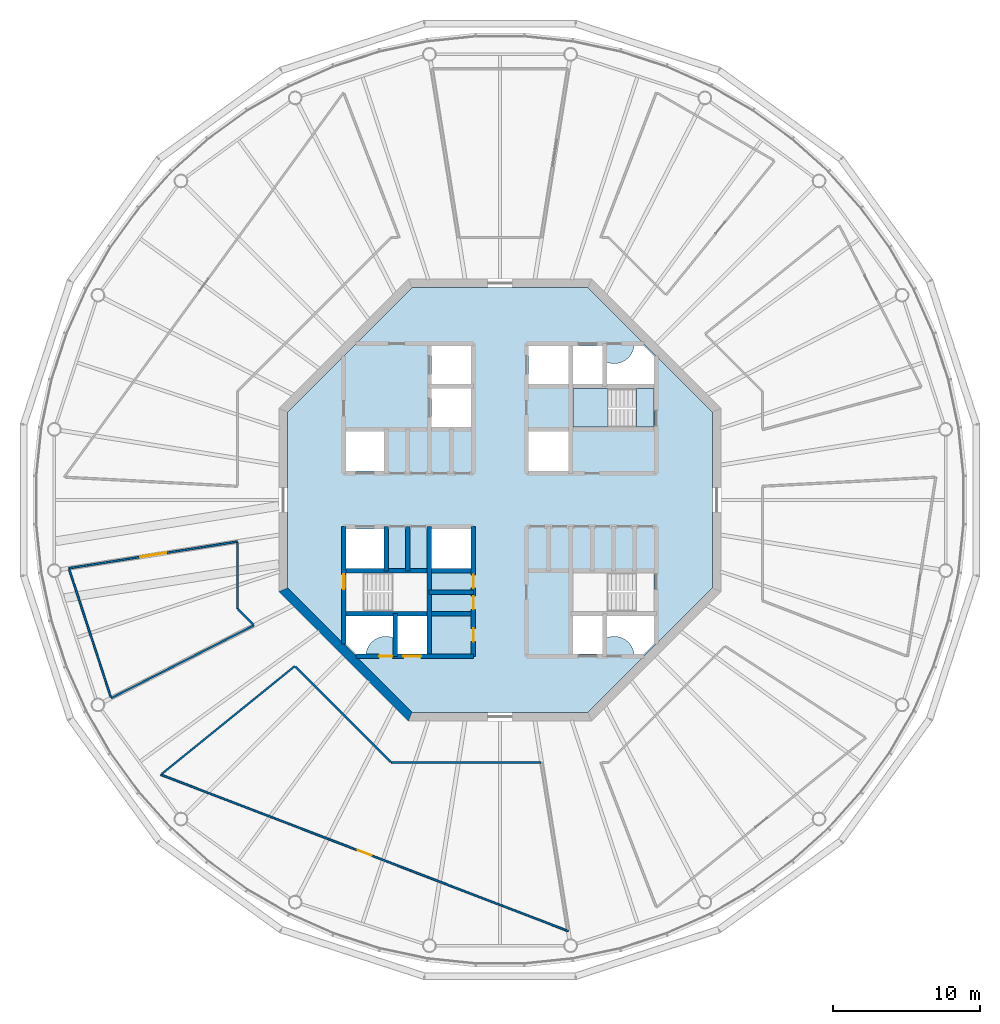
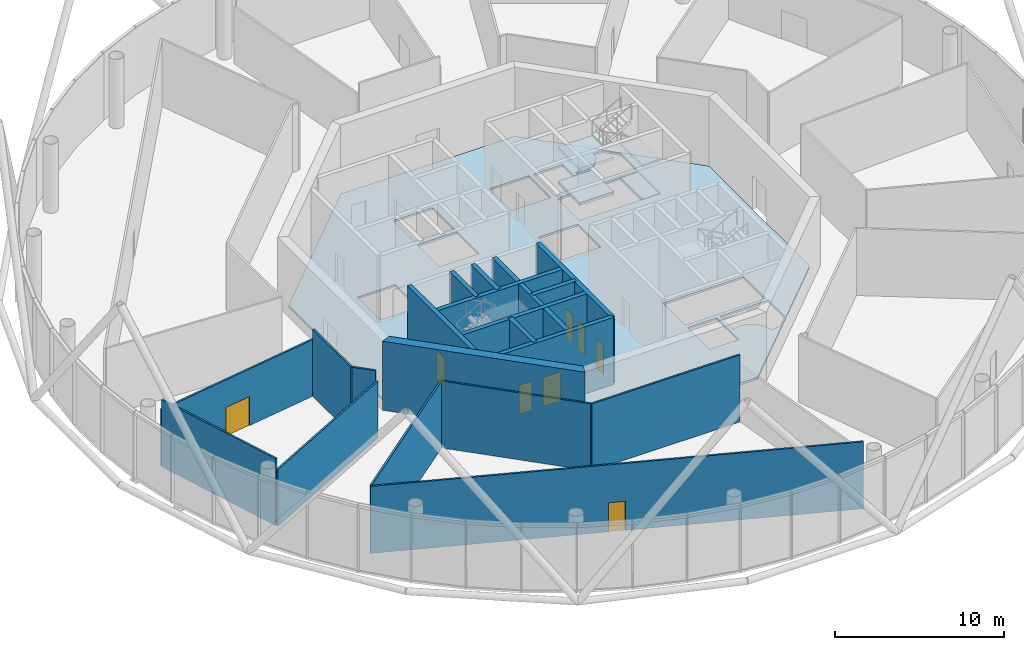
# One storey, part 3 of 13: 20 walls, 8 doors, 5 slabs, 8 openings, 1 element without a shape of its own.
"""IFC4 building model written with IfcOpenShell, lengths in metres."""

from ifc_helpers import new_model, si_unit, direction, frame, frame_2d, origin, place, context, subcontext, project, spatial, polyline, rectangle, outline, extrude, material, layer, layer_set, type_object, element, fill, aggregate, save


model = new_model("IFC4")

# Units and contexts
model_context = context("Model", 3, precision=1e-05, world=origin(), true_north=direction((0.0, 1.0)))
body_context = subcontext(model_context, "Body", "Model", "MODEL_VIEW")
ifc_project = project(units=[si_unit("LENGTHUNIT", "METRE"), si_unit("AREAUNIT", "SQUARE_METRE"), si_unit("VOLUMEUNIT", "CUBIC_METRE"), si_unit("PLANEANGLEUNIT", "RADIAN"), si_unit("MASSUNIT", "GRAM", prefix="KILO")], contexts=[model_context])

# Site, building, storey
site_placement = place(None, origin())
site = spatial("IfcSite", under=ifc_project, at=site_placement, CompositionType="ELEMENT")
building_placement = place(site_placement, origin())
building = spatial("IfcBuilding", under=site, at=building_placement, Name="Entoto Ring Tower", CompositionType="ELEMENT")
storey_placement = place(building_placement, frame((0.0, 0.0, 402.0)))
storey = spatial("IfcBuildingStorey", under=building, at=storey_placement, Name="L92", CompositionType="ELEMENT", Elevation=402.0)

# Slab
ifc_material_1 = material(Name="Concrete C40/50", Category="concrete")
ifc_layer_1 = layer(ifc_material_1, 0.14990234375)
ifc_layer_set_1 = layer_set([ifc_layer_1], Name="Concrete C40/50")
slab_type_1 = type_object("IfcSlabType", Name="Core floor slab 150 mm reinforced concrete C40/50", PredefinedType="FLOOR", material=ifc_layer_set_1)
slab_1_placement = place(storey_placement, frame((0.0, 0.0, -0.14990234375)))
element("IfcSlab", 1, at=slab_1_placement, inside=storey, type_object=slab_type_1, Name="Core floor L92", PredefinedType="FLOOR", context=body_context, shape_type="SweptSolid", body=[
    extrude(outline(polyline([(104.39990234375, 74.035400390625), (104.39990234375, 85.964599609375), (95.964599609375, 94.39990234375), (84.035400390625, 94.39990234375), (75.60009765625, 85.964599609375), (75.60009765625, 74.035400390625), (84.035400390625, 65.60009765625), (95.964599609375, 65.60009765625), (104.39990234375, 74.035400390625)]), holes=[polyline([(100.449951171875, 84.949951171875), (100.449951171875, 87.550048828125), (94.949951171875, 87.550048828125), (94.949951171875, 84.949951171875), (100.449951171875, 84.949951171875)]), polyline([(85.050048828125, 72.449951171875), (85.050048828125, 75.050048828125), (79.550048828125, 75.050048828125), (79.550048828125, 72.449951171875), (85.050048828125, 72.449951171875)]), polyline([(100.449951171875, 72.449951171875), (100.449951171875, 75.050048828125), (94.949951171875, 75.050048828125), (94.949951171875, 72.449951171875), (100.449951171875, 72.449951171875)]), polyline([(94.949951171875, 90.449951171875), (94.949951171875, 87.85009765625), (96.949951171875, 87.85009765625), (96.949951171875, 90.449951171875), (94.949951171875, 90.449951171875)]), polyline([(94.949951171875, 72.14990234375), (94.949951171875, 69.550048828125), (96.949951171875, 69.550048828125), (96.949951171875, 72.14990234375), (94.949951171875, 72.14990234375)]), polyline([(83.050048828125, 72.14990234375), (83.050048828125, 69.550048828125), (85.050048828125, 69.550048828125), (85.050048828125, 72.14990234375), (83.050048828125, 72.14990234375)]), polyline([(79.550048828125, 81.949951171875), (82.14990234375, 81.949951171875), (82.14990234375, 84.64990234375), (79.550048828125, 84.64990234375), (79.550048828125, 81.949951171875)]), polyline([(79.550048828125, 75.35009765625), (82.14990234375, 75.35009765625), (82.14990234375, 78.050048828125), (79.550048828125, 78.050048828125), (79.550048828125, 75.35009765625)]), polyline([(91.949951171875, 87.85009765625), (94.64990234375, 87.85009765625), (94.64990234375, 90.449951171875), (91.949951171875, 90.449951171875), (91.949951171875, 87.85009765625)]), polyline([(91.949951171875, 81.949951171875), (94.64990234375, 81.949951171875), (94.64990234375, 84.64990234375), (91.949951171875, 84.64990234375), (91.949951171875, 81.949951171875)]), polyline([(85.35009765625, 75.35009765625), (88.050048828125, 75.35009765625), (88.050048828125, 78.050048828125), (85.35009765625, 78.050048828125), (85.35009765625, 75.35009765625)]), polyline([(85.35009765625, 84.949951171875), (88.050048828125, 84.949951171875), (88.050048828125, 87.550048828125), (85.35009765625, 87.550048828125), (85.35009765625, 84.949951171875)]), polyline([(85.35009765625, 87.85009765625), (88.050048828125, 87.85009765625), (88.050048828125, 90.449951171875), (85.35009765625, 90.449951171875), (85.35009765625, 87.85009765625)]), polyline([(97.199951171875, 89.368408203125), (97.199951171875, 87.800048828125), (100.5, 87.800048828125), (100.5, 89.723388671875), (99.723388671875, 90.5), (99.09521484375, 90.5), (99.093505859375, 90.4677734375), (99.07421875, 90.336669921875), (99.0419921875, 90.2080078125), (98.997314453125, 90.08349609375), (98.940673828125, 89.963623046875), (98.87255859375, 89.85009765625), (98.793701171875, 89.74365234375), (98.70458984375, 89.6455078125), (98.6064453125, 89.556396484375), (98.5, 89.4775390625), (98.386474609375, 89.409423828125), (98.2666015625, 89.352783203125), (98.141845703125, 89.30810546875), (98.013427734375, 89.27587890625), (97.88232421875, 89.256591796875), (97.75, 89.25), (97.61767578125, 89.256591796875), (97.486572265625, 89.27587890625), (97.358154296875, 89.30810546875), (97.2333984375, 89.352783203125), (97.199951171875, 89.368408203125)]), polyline([(80.276611328125, 69.5), (80.90478515625, 69.5), (80.906494140625, 69.5322265625), (80.92578125, 69.663330078125), (80.9580078125, 69.7919921875), (81.002685546875, 69.91650390625), (81.059326171875, 70.036376953125), (81.12744140625, 70.14990234375), (81.206298828125, 70.25634765625), (81.29541015625, 70.3544921875), (81.3935546875, 70.443603515625), (81.5, 70.5224609375), (81.613525390625, 70.590576171875), (81.7333984375, 70.647216796875), (81.858154296875, 70.69189453125), (81.986572265625, 70.72412109375), (82.11767578125, 70.743408203125), (82.25, 70.75), (82.38232421875, 70.743408203125), (82.513427734375, 70.72412109375), (82.641845703125, 70.69189453125), (82.7666015625, 70.647216796875), (82.800048828125, 70.631591796875), (82.800048828125, 72.199951171875), (79.5, 72.199951171875), (79.5, 70.276611328125), (80.276611328125, 69.5)]), polyline([(99.09521484375, 69.5), (99.723388671875, 69.5), (100.5, 70.276611328125), (100.5, 72.199951171875), (97.199951171875, 72.199951171875), (97.199951171875, 70.631591796875), (97.2333984375, 70.647216796875), (97.358154296875, 70.69189453125), (97.486572265625, 70.72412109375), (97.61767578125, 70.743408203125), (97.75, 70.75), (97.88232421875, 70.743408203125), (98.013427734375, 70.72412109375), (98.141845703125, 70.69189453125), (98.2666015625, 70.647216796875), (98.386474609375, 70.590576171875), (98.5, 70.5224609375), (98.6064453125, 70.443603515625), (98.70458984375, 70.3544921875), (98.793701171875, 70.25634765625), (98.87255859375, 70.14990234375), (98.940673828125, 70.036376953125), (98.997314453125, 69.91650390625), (99.0419921875, 69.7919921875), (99.07421875, 69.663330078125), (99.093505859375, 69.5322265625), (99.09521484375, 69.5)])]), origin(), (0.0, 0.0, 1.0), 0.14990234375),
])

# Stair, slabs
ifc_material_2 = material(Name="Concrete C40/50", Category="concrete")
stair_type = type_object("IfcStairType", Name="Exit stair 1200 mm dog-leg reinforced concrete", PredefinedType="HALF_TURN_STAIR", material=ifc_material_2)
stair_placement = place(storey_placement, origin())
stair = element("IfcStair", 2, at=stair_placement, inside=storey, type_object=stair_type, Name="Exit stair 1", PredefinedType="HALF_TURN_STAIR")
ifc_material_3 = material(Name="Concrete C40/50", Category="concrete")
ifc_layer_2 = layer(ifc_material_3, 0.199951171875)
ifc_layer_set_2 = layer_set([ifc_layer_2], Name="Concrete C40/50")
slab_type_2 = type_object("IfcSlabType", Name="Stair landing 200 mm reinforced concrete", PredefinedType="LANDING", material=ifc_layer_set_2)
slab_2_placement = place(storey_placement, frame((0.0, 0.0, -0.199951171875)))
slab_2 = element("IfcSlab", 3, at=slab_2_placement, type_object=slab_type_2, Name="ST1 landing 1", PredefinedType="LANDING", context=body_context, shape_type="SweptSolid", body=[
    extrude(outline(polyline([(100.449951171875, 84.949951171875), (100.449951171875, 87.550048828125), (99.25, 87.550048828125), (99.25, 84.949951171875), (100.449951171875, 84.949951171875)])), origin(), (0.0, 0.0, 1.0), 0.199951171875),
])
slab_3_placement = place(storey_placement, frame((0.0, 0.0, 1.050048828125)))
slab_3 = element("IfcSlab", 4, at=slab_3_placement, type_object=slab_type_2, Name="ST1 landing 2", PredefinedType="LANDING", context=body_context, shape_type="SweptSolid", body=[
    extrude(outline(polyline([(94.949951171875, 84.949951171875), (97.2900390625, 84.949951171875), (97.2900390625, 87.550048828125), (94.949951171875, 87.550048828125), (94.949951171875, 84.949951171875)])), origin(), (0.0, 0.0, 1.0), 0.199951171875),
])
slab_4_placement = place(storey_placement, frame((0.0, 0.0, 2.300048828125)))
slab_4 = element("IfcSlab", 5, at=slab_4_placement, type_object=slab_type_2, Name="ST1 landing 3", PredefinedType="LANDING", context=body_context, shape_type="SweptSolid", body=[
    extrude(outline(polyline([(99.25, 84.949951171875), (100.449951171875, 84.949951171875), (100.449951171875, 87.550048828125), (99.25, 87.550048828125), (99.25, 84.949951171875)])), origin(), (0.0, 0.0, 1.0), 0.199951171875),
])
slab_5_placement = place(storey_placement, frame((0.0, 0.0, 3.550048828125)))
slab_5 = element("IfcSlab", 6, at=slab_5_placement, type_object=slab_type_2, Name="ST1 landing 4", PredefinedType="LANDING", context=body_context, shape_type="SweptSolid", body=[
    extrude(outline(polyline([(94.949951171875, 84.949951171875), (97.2900390625, 84.949951171875), (97.2900390625, 87.550048828125), (94.949951171875, 87.550048828125), (94.949951171875, 84.949951171875)])), origin(), (0.0, 0.0, 1.0), 0.199951171875),
])
aggregate(stair, [slab_2, slab_3, slab_4, slab_5])

# Wall, openings, doors
ifc_material_4 = material(Name="Concrete C40/50", Category="concrete")
ifc_layer_3 = layer(ifc_material_4, 0.300048828125)
ifc_layer_set_3 = layer_set([ifc_layer_3], Name="Concrete C40/50")
wall_type_1 = type_object("IfcWallType", Name="Core enclosure wall 300 mm reinforced concrete", PredefinedType="SOLIDWALL", material=ifc_layer_set_3)
wall_1_placement = place(storey_placement, frame((88.199951171875, 69.39990234375, 0.0), z_axis=(0.0, 0.0, 1.0), x_axis=(0.0, 1.0, 0.0)))
wall_1 = element("IfcWall", 7, at=wall_1_placement, inside=storey, type_object=wall_type_1, Name="wall-L92-013", PredefinedType="SOLIDWALL", context=body_context, shape_type="SweptSolid", body=[
    extrude(rectangle(XDim=8.800048828125, YDim=0.300048828125, at=frame_2d((4.39990234375, 0.0))), origin(), (0.0, 0.0, 1.0), 4.85009765625),
])
opening_1_placement = place(wall_1_placement, frame((3.175048828125, 0.0, 0.0)))
opening_1 = element("IfcOpeningElement", 8, at=opening_1_placement, cuts=wall_1, Name="Opening K-69", PredefinedType="OPENING", context=body_context, shape_type="SweptSolid", body=[
    extrude(rectangle(XDim=0.89990234375, YDim=2.10009765625, at=frame_2d((0.449951171875, 1.050048828125))), frame((0.0, 0.16015625, 0.0), z_axis=(0.0, -1.0, 0.0), x_axis=(1.0, 0.0, 0.0)), (0.0, 0.0, 1.0), 0.320068359375),
])
opening_2_placement = place(wall_1_placement, frame((4.625, 0.0, 0.0)))
opening_2 = element("IfcOpeningElement", 9, at=opening_2_placement, cuts=wall_1, Name="Opening K-71", PredefinedType="OPENING", context=body_context, shape_type="SweptSolid", body=[
    extrude(rectangle(XDim=0.89990234375, YDim=2.10009765625, at=frame_2d((0.449951171875, 1.050048828125))), frame((0.0, 0.16015625, 0.0), z_axis=(0.0, -1.0, 0.0), x_axis=(1.0, 0.0, 0.0)), (0.0, 0.0, 1.0), 0.320068359375),
])
opening_3_placement = place(wall_1_placement, frame((1.0, 0.0, 0.0)))
opening_3 = element("IfcOpeningElement", 10, at=opening_3_placement, cuts=wall_1, Name="Opening K-24", PredefinedType="OPENING", context=body_context, shape_type="SweptSolid", body=[
    extrude(rectangle(XDim=0.89990234375, YDim=2.10009765625, at=frame_2d((0.449951171875, 1.050048828125))), frame((0.0, 0.16015625, 0.0), z_axis=(0.0, -1.0, 0.0), x_axis=(1.0, 0.0, 0.0)), (0.0, 0.0, 1.0), 0.320068359375),
])
ifc_material_5 = material(Name="Steel door leaf, fire rated", Category="steel")
ifc_layer_4 = layer(ifc_material_5, 0.050048828125)
ifc_layer_set_4 = layer_set([ifc_layer_4], Name="Steel door leaf, fire rated")
door_type_1 = type_object("IfcDoorType", Name="Core door 900 x 2100 single leaf", OperationType="NOTDEFINED", PredefinedType="DOOR", material=ifc_layer_set_4)
door_1_placement = place(opening_1_placement, origin())
door_1 = element("IfcDoor", 11, at=door_1_placement, inside=storey, type_object=door_type_1, Name="Door K-69", OperationType="SINGLE_SWING_RIGHT", OverallHeight=2.10009765625, OverallWidth=0.89990234375, PredefinedType="DOOR", context=body_context, shape_type="SweptSolid", body=[
    extrude(rectangle(XDim=0.89990234375, YDim=2.10009765625, at=frame_2d((0.449951171875, 1.050048828125))), frame((0.0, 0.02490234375, 0.0), z_axis=(0.0, -1.0, 0.0), x_axis=(1.0, 0.0, 0.0)), (0.0, 0.0, 1.0), 0.050048828125),
])
fill(opening_1, door_1)
door_2_placement = place(opening_2_placement, origin())
door_2 = element("IfcDoor", 12, at=door_2_placement, inside=storey, type_object=door_type_1, Name="Door K-71", OperationType="SINGLE_SWING_RIGHT", OverallHeight=2.10009765625, OverallWidth=0.89990234375, PredefinedType="DOOR", context=body_context, shape_type="SweptSolid", body=[
    extrude(rectangle(XDim=0.89990234375, YDim=2.10009765625, at=frame_2d((0.449951171875, 1.050048828125))), frame((0.0, 0.02490234375, 0.0), z_axis=(0.0, -1.0, 0.0), x_axis=(1.0, 0.0, 0.0)), (0.0, 0.0, 1.0), 0.050048828125),
])
fill(opening_2, door_2)
door_3_placement = place(opening_3_placement, origin())
door_3 = element("IfcDoor", 13, at=door_3_placement, inside=storey, type_object=door_type_1, Name="Door K-24", OperationType="SINGLE_SWING_RIGHT", OverallHeight=2.10009765625, OverallWidth=0.89990234375, PredefinedType="DOOR", context=body_context, shape_type="SweptSolid", body=[
    extrude(rectangle(XDim=0.89990234375, YDim=2.10009765625, at=frame_2d((0.449951171875, 1.050048828125))), frame((0.0, 0.02490234375, 0.0), z_axis=(0.0, -1.0, 0.0), x_axis=(1.0, 0.0, 0.0)), (0.0, 0.0, 1.0), 0.050048828125),
])
fill(opening_3, door_3)

# Walls
wall_2_placement = place(storey_placement, frame((85.199951171875, 69.39990234375, 0.0), z_axis=(0.0, 0.0, 1.0), x_axis=(0.0, 1.0, 0.0)))
element("IfcWall", 14, at=wall_2_placement, inside=storey, type_object=wall_type_1, Name="wall-L92-016", PredefinedType="SOLIDWALL", context=body_context, shape_type="SweptSolid", body=[
    extrude(rectangle(XDim=8.800048828125, YDim=0.300048828125, at=frame_2d((4.39990234375, 0.0))), origin(), (0.0, 0.0, 1.0), 4.85009765625),
])
wall_3_placement = place(storey_placement, frame((83.75, 75.199951171875, 0.0), z_axis=(0.0, 0.0, 1.0), x_axis=(0.0, 1.0, 0.0)))
element("IfcWall", 15, at=wall_3_placement, inside=storey, type_object=wall_type_1, Name="wall-L92-018", PredefinedType="SOLIDWALL", context=body_context, shape_type="SweptSolid", body=[
    extrude(rectangle(XDim=3.0, YDim=0.300048828125, at=frame_2d((1.5, 0.0))), origin(), (0.0, 0.0, 1.0), 4.85009765625),
])
wall_4_placement = place(storey_placement, frame((82.89990234375, 69.39990234375, 0.0), z_axis=(0.0, 0.0, 1.0), x_axis=(0.0, 1.0, 0.0)))
element("IfcWall", 16, at=wall_4_placement, inside=storey, type_object=wall_type_1, Name="wall-L92-020", PredefinedType="SOLIDWALL", context=body_context, shape_type="SweptSolid", body=[
    extrude(rectangle(XDim=2.900146484375, YDim=0.300048828125, at=frame_2d((1.4501953125, 0.0))), origin(), (0.0, 0.0, 1.0), 4.85009765625),
])
wall_5_placement = place(storey_placement, frame((82.300048828125, 75.199951171875, 0.0), z_axis=(0.0, 0.0, 1.0), x_axis=(0.0, 1.0, 0.0)))
element("IfcWall", 17, at=wall_5_placement, inside=storey, type_object=wall_type_1, Name="wall-L92-021", PredefinedType="SOLIDWALL", context=body_context, shape_type="SweptSolid", body=[
    extrude(rectangle(XDim=3.0, YDim=0.300048828125, at=frame_2d((1.5, 0.0))), origin(), (0.0, 0.0, 1.0), 4.85009765625),
])

# Wall, opening, door
wall_6_placement = place(storey_placement, frame((79.39990234375, 70.2353515625, 0.0), z_axis=(0.0, 0.0, 1.0), x_axis=(0.0, 1.0, 0.0)))
wall_6 = element("IfcWall", 18, at=wall_6_placement, inside=storey, type_object=wall_type_1, Name="wall-L92-023", PredefinedType="SOLIDWALL", context=body_context, shape_type="SweptSolid", body=[
    extrude(rectangle(XDim=7.964599609375, YDim=0.300048828125, at=frame_2d((3.982421875, 0.0))), origin(), (0.0, 0.0, 1.0), 4.85009765625),
])
opening_4_placement = place(wall_6_placement, frame((3.714599609375, 0.0, 0.0)))
opening_4 = element("IfcOpeningElement", 19, at=opening_4_placement, cuts=wall_6, Name="Opening K-30", PredefinedType="OPENING", context=body_context, shape_type="SweptSolid", body=[
    extrude(rectangle(XDim=1.0, YDim=2.10009765625, at=frame_2d((0.5, 1.050048828125))), frame((0.0, 0.16015625, 0.0), z_axis=(0.0, -1.0, 0.0), x_axis=(1.0, 0.0, 0.0)), (0.0, 0.0, 1.0), 0.320068359375),
])
ifc_material_6 = material(Name="Steel door leaf, fire rated", Category="steel")
ifc_layer_5 = layer(ifc_material_6, 0.050048828125)
ifc_layer_set_5 = layer_set([ifc_layer_5], Name="Steel door leaf, fire rated")
door_type_2 = type_object("IfcDoorType", Name="Fire door FD60 1000 x 2100 single leaf", OperationType="NOTDEFINED", PredefinedType="DOOR", material=ifc_layer_set_5)
door_4_placement = place(opening_4_placement, frame((1.0, 0.0, 0.0), z_axis=(0.0, 0.0, 1.0), x_axis=(-1.0, 0.0, 0.0)))
door_4 = element("IfcDoor", 20, at=door_4_placement, inside=storey, type_object=door_type_2, Name="Door K-30", OperationType="SINGLE_SWING_LEFT", OverallHeight=2.10009765625, OverallWidth=1.0, PredefinedType="DOOR", context=body_context, shape_type="SweptSolid", body=[
    extrude(rectangle(XDim=1.0, YDim=2.10009765625, at=frame_2d((0.5, 1.050048828125))), frame((0.0, 0.02490234375, 0.0), z_axis=(0.0, -1.0, 0.0), x_axis=(1.0, 0.0, 0.0)), (0.0, 0.0, 1.0), 0.050048828125),
])
fill(opening_4, door_4)

# Wall, openings, doors
wall_7_placement = place(storey_placement, frame((80.2353515625, 69.39990234375, 0.0), z_axis=(0.0, 0.0, 1.0), x_axis=(1.0, 0.0, 0.0)))
wall_7 = element("IfcWall", 21, at=wall_7_placement, inside=storey, type_object=wall_type_1, Name="wall-L92-025", PredefinedType="SOLIDWALL", context=body_context, shape_type="SweptSolid", body=[
    extrude(rectangle(XDim=7.964599609375, YDim=0.300048828125, at=frame_2d((3.982421875, 0.0))), origin(), (0.0, 0.0, 1.0), 4.85009765625),
])
opening_5_placement = place(wall_7_placement, frame((3.214599609375, 0.0, 0.0)))
opening_5 = element("IfcOpeningElement", 22, at=opening_5_placement, cuts=wall_7, Name="Opening LD", PredefinedType="OPENING", context=body_context, shape_type="SweptSolid", body=[
    extrude(rectangle(XDim=1.199951171875, YDim=2.10009765625, at=frame_2d((0.60009765625, 1.050048828125))), frame((0.0, 0.16015625, 0.0), z_axis=(0.0, -1.0, 0.0), x_axis=(1.0, 0.0, 0.0)), (0.0, 0.0, 1.0), 0.320068359375),
])
opening_6_placement = place(wall_7_placement, frame((1.564697265625, 0.0, 0.0)))
opening_6 = element("IfcOpeningElement", 23, at=opening_6_placement, cuts=wall_7, Name="Opening K-33", PredefinedType="OPENING", context=body_context, shape_type="SweptSolid", body=[
    extrude(rectangle(XDim=0.89990234375, YDim=2.10009765625, at=frame_2d((0.449951171875, 1.050048828125))), frame((0.0, 0.16015625, 0.0), z_axis=(0.0, -1.0, 0.0), x_axis=(1.0, 0.0, 0.0)), (0.0, 0.0, 1.0), 0.320068359375),
])
ifc_material_7 = material(Name="Steel and glass door leaf", Category="steel")
ifc_layer_6 = layer(ifc_material_7, 0.050048828125)
ifc_layer_set_6 = layer_set([ifc_layer_6], Name="Steel and glass door leaf")
door_type_3 = type_object("IfcDoorType", Name="Landing door 1200 x 2100 sliding", OperationType="DOUBLE_DOOR_SLIDING", PredefinedType="DOOR", material=ifc_layer_set_6)
door_5_placement = place(opening_5_placement, origin())
door_5 = element("IfcDoor", 24, at=door_5_placement, inside=storey, type_object=door_type_3, Name="Landing door LB3-HR", OperationType="SLIDING_TO_RIGHT", OverallHeight=2.10009765625, OverallWidth=1.199951171875, PredefinedType="DOOR", context=body_context, shape_type="SweptSolid", body=[
    extrude(rectangle(XDim=1.199951171875, YDim=2.10009765625, at=frame_2d((0.60009765625, 1.050048828125))), frame((0.0, 0.02490234375, 0.0), z_axis=(0.0, -1.0, 0.0), x_axis=(1.0, 0.0, 0.0)), (0.0, 0.0, 1.0), 0.050048828125),
])
fill(opening_5, door_5)
ifc_material_8 = material(Name="Steel door leaf, fire rated", Category="steel")
ifc_layer_7 = layer(ifc_material_8, 0.050048828125)
ifc_layer_set_7 = layer_set([ifc_layer_7], Name="Steel door leaf, fire rated")
door_type_4 = type_object("IfcDoorType", Name="Riser door FD60 900 x 2100 single leaf", OperationType="NOTDEFINED", PredefinedType="DOOR", material=ifc_layer_set_7)
door_6_placement = place(opening_6_placement, origin())
door_6 = element("IfcDoor", 25, at=door_6_placement, inside=storey, type_object=door_type_4, Name="Door K-33", OperationType="SINGLE_SWING_RIGHT", OverallHeight=2.10009765625, OverallWidth=0.89990234375, PredefinedType="DOOR", context=body_context, shape_type="SweptSolid", body=[
    extrude(rectangle(XDim=0.89990234375, YDim=2.10009765625, at=frame_2d((0.449951171875, 1.050048828125))), frame((0.0, 0.02490234375, 0.0), z_axis=(0.0, -1.0, 0.0), x_axis=(1.0, 0.0, 0.0)), (0.0, 0.0, 1.0), 0.050048828125),
])
fill(opening_6, door_6)

# Walls
wall_8_placement = place(storey_placement, frame((79.39990234375, 72.300048828125, 0.0), z_axis=(0.0, 0.0, 1.0), x_axis=(1.0, 0.0, 0.0)))
element("IfcWall", 26, at=wall_8_placement, inside=storey, type_object=wall_type_1, Name="wall-L92-027", PredefinedType="SOLIDWALL", context=body_context, shape_type="SweptSolid", body=[
    extrude(rectangle(XDim=8.800048828125, YDim=0.300048828125, at=frame_2d((4.39990234375, 0.0))), origin(), (0.0, 0.0, 1.0), 4.85009765625),
])
wall_9_placement = place(storey_placement, frame((85.199951171875, 73.75, 0.0), z_axis=(0.0, 0.0, 1.0), x_axis=(1.0, 0.0, 0.0)))
element("IfcWall", 27, at=wall_9_placement, inside=storey, type_object=wall_type_1, Name="wall-L92-029", PredefinedType="SOLIDWALL", context=body_context, shape_type="SweptSolid", body=[
    extrude(rectangle(XDim=3.0, YDim=0.300048828125, at=frame_2d((1.5, 0.0))), origin(), (0.0, 0.0, 1.0), 4.85009765625),
])
wall_10_placement = place(storey_placement, frame((79.39990234375, 75.199951171875, 0.0), z_axis=(0.0, 0.0, 1.0), x_axis=(1.0, 0.0, 0.0)))
element("IfcWall", 28, at=wall_10_placement, inside=storey, type_object=wall_type_1, Name="wall-L92-030", PredefinedType="SOLIDWALL", context=body_context, shape_type="SweptSolid", body=[
    extrude(rectangle(XDim=8.800048828125, YDim=0.300048828125, at=frame_2d((4.39990234375, 0.0))), origin(), (0.0, 0.0, 1.0), 4.85009765625),
])
ifc_material_9 = material(Name="Concrete C40/50", Category="concrete")
ifc_layer_8 = layer(ifc_material_9, 0.60009765625)
ifc_layer_set_8 = layer_set([ifc_layer_8], Name="Concrete C40/50")
wall_type_2 = type_object("IfcWallType", Name="Core shear wall 600 mm reinforced concrete C40/50", PredefinedType="SHEAR", material=ifc_layer_set_8)
wall_11_placement = place(storey_placement, frame((75.300048828125, 73.9111328125, 0.0), z_axis=(0.0, 0.0, 1.0), x_axis=(0.707106781187, -0.707106781187, 0.0)))
element("IfcWall", 29, at=wall_11_placement, inside=storey, type_object=wall_type_2, Name="wall-L92-core-5", PredefinedType="SHEAR", context=body_context, shape_type="SweptSolid", body=[
    extrude(outline(polyline([(-0.124267578125, -0.300048828125), (12.30224609375, -0.300048828125), (12.0537109375, 0.300048828125), (0.124267578125, 0.300048828125), (-0.124267578125, -0.300048828125)])), origin(), (0.0, 0.0, 1.0), 5.0),
])

# Wall, opening, door
ifc_material_10 = material(Name="Fire-resisting plasterboard on steel studs", Category="steel")
ifc_layer_9 = layer(ifc_material_10, 0.125)
ifc_layer_set_9 = layer_set([ifc_layer_9], Name="Fire-resisting plasterboard on steel studs")
wall_type_3 = type_object("IfcWallType", Name="Corridor wall 125 mm one-hour plasterboard on steel studs", PredefinedType="PARTITIONING", material=ifc_layer_set_9)
wall_12_placement = place(storey_placement, frame((94.630615234375, 50.764404296875, 0.0), z_axis=(0.0, 0.0, 1.0), x_axis=(-0.933580940483, 0.358366610563, 0.0)))
wall_12 = element("IfcWall", 30, at=wall_12_placement, inside=storey, type_object=wall_type_3, Name="partition-L92-002", PredefinedType="PARTITIONING", context=body_context, shape_type="SweptSolid", body=[
    extrude(rectangle(XDim=29.60009765625, YDim=0.125, at=frame_2d((14.800048828125, 0.0))), origin(), (0.0, 0.0, 1.0), 4.85009765625),
])
opening_7_placement = place(wall_12_placement, frame((14.300048828125, 0.0, 0.0)))
opening_7 = element("IfcOpeningElement", 31, at=opening_7_placement, cuts=wall_12, Name="Opening A40-D06", PredefinedType="OPENING", context=body_context, shape_type="SweptSolid", body=[
    extrude(rectangle(XDim=1.0, YDim=2.10009765625, at=frame_2d((0.5, 1.050048828125))), frame((0.0, 0.072509765625, 0.0), z_axis=(0.0, -1.0, 0.0), x_axis=(1.0, 0.0, 0.0)), (0.0, 0.0, 1.0), 0.14501953125),
])
ifc_material_11 = material(Name="Fire-resisting timber door set", Category="wood")
door_type_5 = type_object("IfcDoorType", Name="Door 1000 x 2100 single leaf FD30S fire door", OperationType="NOTDEFINED", PredefinedType="DOOR", material=ifc_material_11)
door_7_placement = place(opening_7_placement, frame((1.0, 0.0, 0.0), z_axis=(0.0, 0.0, 1.0), x_axis=(-1.0, 0.0, 0.0)))
door_7 = element("IfcDoor", 32, at=door_7_placement, inside=storey, type_object=door_type_5, Name="Door A40-D06", OperationType="SINGLE_SWING_RIGHT", OverallHeight=2.10009765625, OverallWidth=1.0, PredefinedType="DOOR", context=body_context, shape_type="SweptSolid", body=[
    extrude(rectangle(XDim=1.0, YDim=2.10009765625, at=frame_2d((0.5, 1.050048828125))), frame((0.0, 0.02490234375, 0.0), z_axis=(0.0, -1.0, 0.0), x_axis=(1.0, 0.0, 0.0)), (0.0, 0.0, 1.0), 0.050048828125),
])
fill(opening_7, door_7)

# Walls
wall_13_placement = place(storey_placement, frame((67.080322265625, 61.440185546875, 0.0), z_axis=(0.0, 0.0, 1.0), x_axis=(0.777155122425, 0.629309078028, 0.0)))
element("IfcWall", 33, at=wall_13_placement, inside=storey, type_object=wall_type_3, Name="partition-L92-009", PredefinedType="PARTITIONING", context=body_context, shape_type="SweptSolid", body=[
    extrude(rectangle(XDim=11.593994140625, YDim=0.125, at=frame_2d((5.796875, 0.0))), origin(), (0.0, 0.0, 1.0), 4.85009765625),
])
wall_14_placement = place(storey_placement, frame((82.626953125, 62.199951171875, 0.0), z_axis=(0.0, 0.0, 1.0), x_axis=(1.0, 0.0, 0.0)))
element("IfcWall", 34, at=wall_14_placement, inside=storey, type_object=wall_type_3, Name="partition-L92-024", PredefinedType="PARTITIONING", context=body_context, shape_type="SweptSolid", body=[
    extrude(rectangle(XDim=10.130615234375, YDim=0.125, at=frame_2d((5.0654296875, 0.0))), origin(), (0.0, 0.0, 1.0), 4.85009765625),
])
wall_15_placement = place(storey_placement, frame((63.603515625, 66.63134765625, 0.0), z_axis=(0.0, 0.0, 1.0), x_axis=(-0.308994616473, 0.951063787025, 0.0)))
element("IfcWall", 35, at=wall_15_placement, inside=storey, type_object=wall_type_3, Name="partition-L92-026", PredefinedType="PARTITIONING", context=body_context, shape_type="SweptSolid", body=[
    extrude(rectangle(XDim=9.11474609375, YDim=0.125, at=frame_2d((4.557373046875, 0.0))), origin(), (0.0, 0.0, 1.0), 4.85009765625),
])
wall_16_placement = place(storey_placement, frame((82.595947265625, 62.231201171875, 0.0), z_axis=(0.0, 0.0, 1.0), x_axis=(-0.70712014009, 0.707093422031, 0.0)))
element("IfcWall", 36, at=wall_16_placement, inside=storey, type_object=wall_type_3, Name="partition-L92-028", PredefinedType="PARTITIONING", context=body_context, shape_type="SweptSolid", body=[
    extrude(rectangle(XDim=9.1376953125, YDim=0.125, at=frame_2d((4.56884765625, 0.0))), origin(), (0.0, 0.0, 1.0), 4.85009765625),
])
wall_17_placement = place(storey_placement, frame((72.199951171875, 72.626953125, 0.0), z_axis=(0.0, 0.0, 1.0), x_axis=(0.0, 1.0, 0.0)))
element("IfcWall", 37, at=wall_17_placement, inside=storey, type_object=wall_type_3, Name="partition-L92-034", PredefinedType="PARTITIONING", context=body_context, shape_type="SweptSolid", body=[
    extrude(rectangle(XDim=4.480712890625, YDim=0.125, at=frame_2d((2.240234375, 0.0))), origin(), (0.0, 0.0, 1.0), 4.85009765625),
])
wall_18_placement = place(storey_placement, frame((73.26318359375, 71.563720703125, 0.0), z_axis=(0.0, 0.0, 1.0), x_axis=(-0.707023144452, 0.70719040803, 0.0)))
element("IfcWall", 38, at=wall_18_placement, inside=storey, type_object=wall_type_3, Name="partition-L92-036", PredefinedType="PARTITIONING", context=body_context, shape_type="SweptSolid", body=[
    extrude(rectangle(XDim=1.459716796875, YDim=0.125, at=frame_2d((0.72998046875, 0.0))), origin(), (0.0, 0.0, 1.0), 4.85009765625),
])

# Wall, opening, door
ifc_material_12 = material(Name="Fire-resisting plasterboard on steel studs", Category="steel")
ifc_layer_10 = layer(ifc_material_12, 0.125)
ifc_layer_set_10 = layer_set([ifc_layer_10], Name="Fire-resisting plasterboard on steel studs")
wall_type_4 = type_object("IfcWallType", Name="Corridor wall 125 mm one-hour plasterboard on steel studs, 4097 mm high", PredefinedType="PARTITIONING", material=ifc_layer_set_10)
wall_19_placement = place(storey_placement, frame((60.764404296875, 75.369384765625, 0.0), z_axis=(0.0, 0.0, 1.0), x_axis=(0.987684193392, 0.156460647203, 0.0)))
wall_19 = element("IfcWall", 39, at=wall_19_placement, inside=storey, type_object=wall_type_4, Name="partition-L92-012", PredefinedType="PARTITIONING", context=body_context, shape_type="SweptSolid", body=[
    extrude(rectangle(XDim=11.578125, YDim=0.125, at=frame_2d((5.7890625, 0.0))), origin(), (0.0, 0.0, 1.0), 4.096923828125),
])
opening_8_placement = place(wall_19_placement, frame((4.88916015625, 0.0, 0.0)))
opening_8 = element("IfcOpeningElement", 40, at=opening_8_placement, cuts=wall_19, Name="Opening A40-D05", PredefinedType="OPENING", context=body_context, shape_type="SweptSolid", body=[
    extrude(rectangle(XDim=1.800048828125, YDim=2.10009765625, at=frame_2d((0.89990234375, 1.050048828125))), frame((0.0, 0.072509765625, 0.0), z_axis=(0.0, -1.0, 0.0), x_axis=(1.0, 0.0, 0.0)), (0.0, 0.0, 1.0), 0.14501953125),
])
ifc_material_13 = material(Name="Fire-resisting timber door set", Category="wood")
door_type_6 = type_object("IfcDoorType", Name="Door 1800 x 2100 double leaf FD30S fire door", OperationType="DOUBLE_DOOR_SINGLE_SWING", PredefinedType="DOOR", material=ifc_material_13)
door_8_placement = place(opening_8_placement, origin())
door_8 = element("IfcDoor", 41, at=door_8_placement, inside=storey, type_object=door_type_6, Name="Door A40-D05", OperationType="DOUBLE_DOOR_SINGLE_SWING", OverallHeight=2.10009765625, OverallWidth=1.800048828125, PredefinedType="DOOR", context=body_context, shape_type="SweptSolid", body=[
    extrude(rectangle(XDim=1.800048828125, YDim=2.10009765625, at=frame_2d((0.89990234375, 1.050048828125))), frame((0.0, 0.02490234375, 0.0), z_axis=(0.0, -1.0, 0.0), x_axis=(1.0, 0.0, 0.0)), (0.0, 0.0, 1.0), 0.050048828125),
])
fill(opening_8, door_8)

# Wall
wall_20_placement = place(storey_placement, frame((63.626220703125, 66.56201171875, 0.0), z_axis=(0.0, 0.0, 1.0), x_axis=(0.891009880528, 0.453983912492, 0.0)))
element("IfcWall", 42, at=wall_20_placement, inside=storey, type_object=wall_type_4, Name="partition-L92-019", PredefinedType="PARTITIONING", context=body_context, shape_type="SweptSolid", body=[
    extrude(rectangle(XDim=10.884033203125, YDim=0.125, at=frame_2d((5.44189453125, 0.0))), origin(), (0.0, 0.0, 1.0), 4.096923828125),
])

save(model, "model.ifc")
